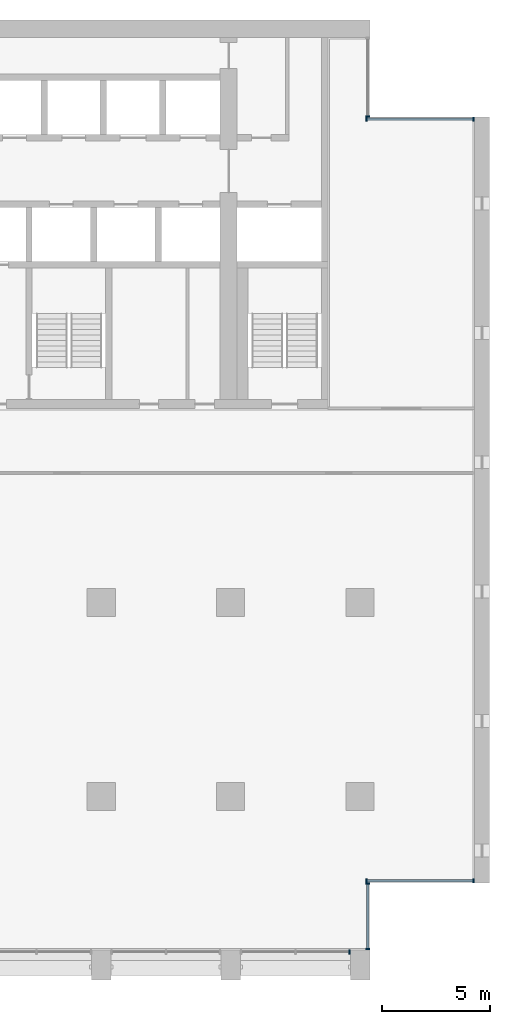
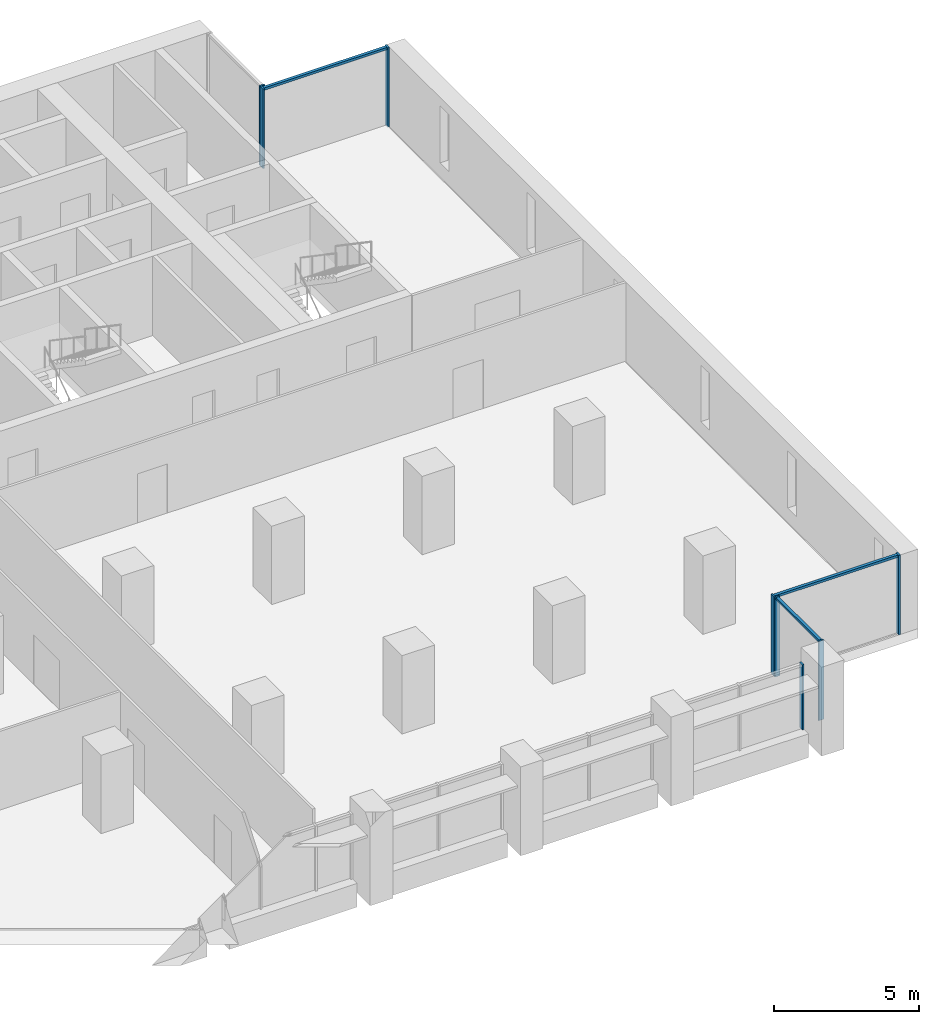
# One storey, part 5 of 15: 11 members, 5 elements without a shape of their own.
"""IFC4 building model written with IfcOpenShell, lengths in metres."""

from ifc_helpers import new_model, si_unit, direction, frame, origin, origin_2d, place, context, subcontext, project, spatial, rectangle, extrude, material, material_profile, profile_set, type_object, element, aggregate, save


model = new_model("IFC4")

# Units and contexts
model_context = context("Model", 3, precision=1e-05, world=origin(), true_north=direction((0.0, 1.0)))
body_context = subcontext(model_context, "Body", "Model", "MODEL_VIEW")
ifc_project = project(units=[si_unit("LENGTHUNIT", "METRE"), si_unit("AREAUNIT", "SQUARE_METRE"), si_unit("VOLUMEUNIT", "CUBIC_METRE"), si_unit("PLANEANGLEUNIT", "RADIAN"), si_unit("MASSUNIT", "GRAM", prefix="KILO")], contexts=[model_context])

# Site, building, storey
site_placement = place(None, origin())
site = spatial("IfcSite", under=ifc_project, at=site_placement, CompositionType="ELEMENT")
building_placement = place(site_placement, origin())
building = spatial("IfcBuilding", under=site, at=building_placement, Name="Calvaro Tower", CompositionType="ELEMENT")
storey_placement = place(building_placement, frame((0.0, 0.0, 125.0)))
storey = spatial("IfcBuildingStorey", under=building, at=storey_placement, Name="L31", CompositionType="ELEMENT", Elevation=125.0)

# Curtain wall, member
ifc_material_1 = material(Name="Anodised aluminium", Category="aluminium")
curtain_wall_type = type_object("IfcCurtainWallType", Name="Office curtain wall, middle zone", PredefinedType="NOTDEFINED", material=ifc_material_1)
curtain_wall_1_placement = place(storey_placement, origin())
curtain_wall_1 = element("IfcCurtainWall", 1, at=curtain_wall_1_placement, inside=storey, type_object=curtain_wall_type, Name="CW2 south curtain wall", PredefinedType="NOTDEFINED")
ifc_material_2 = material(Name="Anodised aluminium", Category="aluminium")
ifc_material_profile_1 = material_profile(ifc_material_2, rectangle(XDim=0.199951171875, YDim=0.070068359375, at=origin_2d()), Name="Mullion S2 70 x 200")
ifc_profile_set_1 = profile_set([ifc_material_profile_1], Name="Anodised aluminium")
member_type_1 = type_object("IfcMemberType", Name="Mullion S2 70 x 200", PredefinedType="MULLION", material=ifc_profile_set_1)
member_1_placement = place(storey_placement, frame((65.514892578125, 2.800048828125, 0.0), z_axis=(0.0, 0.0, 1.0), x_axis=(0.0, 1.0, 0.0)))
member_1 = element("IfcMember", 2, at=member_1_placement, type_object=member_type_1, Name="CW2 mullion 3", PredefinedType="MULLION", context=body_context, shape_type="SweptSolid", body=[
    extrude(rectangle(XDim=0.199951171875, YDim=0.070068359375, at=origin_2d()), origin(), (0.0, 0.0, 1.0), 2.75),
])
aggregate(curtain_wall_1, [member_1])

# Curtain wall, members
curtain_wall_2_placement = place(storey_placement, origin())
curtain_wall_2 = element("IfcCurtainWall", 3, at=curtain_wall_2_placement, inside=storey, type_object=curtain_wall_type, Name="CW2 corner curtain wall", PredefinedType="NOTDEFINED")
member_2_placement = place(storey_placement, frame((66.35009765625, 2.93505859375, 0.0), z_axis=(0.0, 0.0, 1.0), x_axis=(-1.0, 0.0, 0.0)))
member_2 = element("IfcMember", 4, at=member_2_placement, type_object=member_type_1, Name="CW2 mullion 1", PredefinedType="MULLION", context=body_context, shape_type="SweptSolid", body=[
    extrude(rectangle(XDim=0.199951171875, YDim=0.070068359375, at=origin_2d()), origin(), (0.0, 0.0, 1.0), 3.35009765625),
])
member_3_placement = place(storey_placement, frame((66.35009765625, 5.965087890625, 0.0), z_axis=(0.0, 0.0, 1.0), x_axis=(-1.0, 0.0, 0.0)))
member_3 = element("IfcMember", 5, at=member_3_placement, type_object=member_type_1, Name="CW2 mullion 2", PredefinedType="MULLION", context=body_context, shape_type="SweptSolid", body=[
    extrude(rectangle(XDim=0.199951171875, YDim=0.070068359375, at=origin_2d()), origin(), (0.0, 0.0, 1.0), 3.35009765625),
])

curtain_wall_3_placement = place(storey_placement, origin())
curtain_wall_3 = element("IfcCurtainWall", 6, at=curtain_wall_3_placement, inside=storey, type_object=curtain_wall_type, Name="CW2 corner curtain wall", PredefinedType="NOTDEFINED")
member_4_placement = place(storey_placement, frame((66.284912109375, 6.10009765625, 0.0), z_axis=(0.0, 0.0, 1.0), x_axis=(0.0, 1.0, 0.0)))
member_4 = element("IfcMember", 7, at=member_4_placement, type_object=member_type_1, Name="CW2 mullion 1", PredefinedType="MULLION", context=body_context, shape_type="SweptSolid", body=[
    extrude(rectangle(XDim=0.199951171875, YDim=0.070068359375, at=origin_2d()), origin(), (0.0, 0.0, 1.0), 3.35009765625),
])
member_5_placement = place(storey_placement, frame((71.264892578125, 6.10009765625, 0.0), z_axis=(0.0, 0.0, 1.0), x_axis=(0.0, 1.0, 0.0)))
member_5 = element("IfcMember", 8, at=member_5_placement, type_object=member_type_1, Name="CW2 mullion 2", PredefinedType="MULLION", context=body_context, shape_type="SweptSolid", body=[
    extrude(rectangle(XDim=0.199951171875, YDim=0.070068359375, at=origin_2d()), origin(), (0.0, 0.0, 1.0), 3.35009765625),
])

# Curtain wall, member
curtain_wall_4_placement = place(storey_placement, origin())
curtain_wall_4 = element("IfcCurtainWall", 9, at=curtain_wall_4_placement, inside=storey, type_object=curtain_wall_type, Name="CW2 corner curtain wall", PredefinedType="NOTDEFINED")
member_6_placement = place(storey_placement, frame((66.35009765625, 41.534912109375, 0.0), z_axis=(0.0, 0.0, 1.0), x_axis=(-1.0, 0.0, 0.0)))
member_6 = element("IfcMember", 10, at=member_6_placement, type_object=member_type_1, Name="CW2 mullion 1", PredefinedType="MULLION", context=body_context, shape_type="SweptSolid", body=[
    extrude(rectangle(XDim=0.199951171875, YDim=0.070068359375, at=origin_2d()), origin(), (0.0, 0.0, 1.0), 3.35009765625),
])
aggregate(curtain_wall_4, [member_6])

# Curtain wall, members
curtain_wall_5_placement = place(storey_placement, origin())
curtain_wall_5 = element("IfcCurtainWall", 11, at=curtain_wall_5_placement, inside=storey, type_object=curtain_wall_type, Name="CW2 corner curtain wall", PredefinedType="NOTDEFINED")
member_7_placement = place(storey_placement, frame((66.284912109375, 41.39990234375, 0.0), z_axis=(0.0, 0.0, 1.0), x_axis=(0.0, 1.0, 0.0)))
member_7 = element("IfcMember", 12, at=member_7_placement, type_object=member_type_1, Name="CW2 mullion 1", PredefinedType="MULLION", context=body_context, shape_type="SweptSolid", body=[
    extrude(rectangle(XDim=0.199951171875, YDim=0.070068359375, at=origin_2d()), origin(), (0.0, 0.0, 1.0), 3.35009765625),
])
member_8_placement = place(storey_placement, frame((71.264892578125, 41.39990234375, 0.0), z_axis=(0.0, 0.0, 1.0), x_axis=(0.0, 1.0, 0.0)))
member_8 = element("IfcMember", 13, at=member_8_placement, type_object=member_type_1, Name="CW2 mullion 2", PredefinedType="MULLION", context=body_context, shape_type="SweptSolid", body=[
    extrude(rectangle(XDim=0.199951171875, YDim=0.070068359375, at=origin_2d()), origin(), (0.0, 0.0, 1.0), 3.35009765625),
])

# Member
ifc_material_3 = material(Name="Anodised aluminium", Category="aluminium")
ifc_material_profile_2 = material_profile(ifc_material_3, rectangle(XDim=0.1201171875, YDim=0.10009765625, at=origin_2d()), Name="Transom S2 100 x 120")
ifc_profile_set_2 = profile_set([ifc_material_profile_2], Name="Anodised aluminium")
member_type_2 = type_object("IfcMemberType", Name="Transom S2 100 x 120", PredefinedType="USERDEFINED", material=ifc_profile_set_2)
member_9_placement = place(storey_placement, frame((66.35009765625, 2.969970703125, 3.300048828125), z_axis=(0.0, 1.0, 0.0), x_axis=(-1.0, 0.0, 0.0)))
member_9 = element("IfcMember", 14, at=member_9_placement, type_object=member_type_2, Name="CW2 transom 1.1", ObjectType="TRANSOM", PredefinedType="USERDEFINED", context=body_context, shape_type="SweptSolid", body=[
    extrude(rectangle(XDim=0.1201171875, YDim=0.10009765625, at=origin_2d()), origin(), (0.0, 0.0, 1.0), 2.9599609375),
])

aggregate(curtain_wall_2, [member_2, member_3, member_9])

member_10_placement = place(storey_placement, frame((66.320068359375, 6.10009765625, 3.300048828125), z_axis=(1.0, 0.0, 0.0), x_axis=(0.0, 1.0, 0.0)))
member_10 = element("IfcMember", 15, at=member_10_placement, type_object=member_type_2, Name="CW2 transom 1.1", ObjectType="TRANSOM", PredefinedType="USERDEFINED", context=body_context, shape_type="SweptSolid", body=[
    extrude(rectangle(XDim=0.1201171875, YDim=0.10009765625, at=origin_2d()), origin(), (0.0, 0.0, 1.0), 4.909912109375),
])

aggregate(curtain_wall_3, [member_4, member_5, member_10])

member_11_placement = place(storey_placement, frame((66.320068359375, 41.39990234375, 3.300048828125), z_axis=(1.0, 0.0, 0.0), x_axis=(0.0, 1.0, 0.0)))
member_11 = element("IfcMember", 16, at=member_11_placement, type_object=member_type_2, Name="CW2 transom 1.1", ObjectType="TRANSOM", PredefinedType="USERDEFINED", context=body_context, shape_type="SweptSolid", body=[
    extrude(rectangle(XDim=0.1201171875, YDim=0.10009765625, at=origin_2d()), origin(), (0.0, 0.0, 1.0), 4.909912109375),
])

aggregate(curtain_wall_5, [member_7, member_8, member_11])

save(model, "model.ifc")
